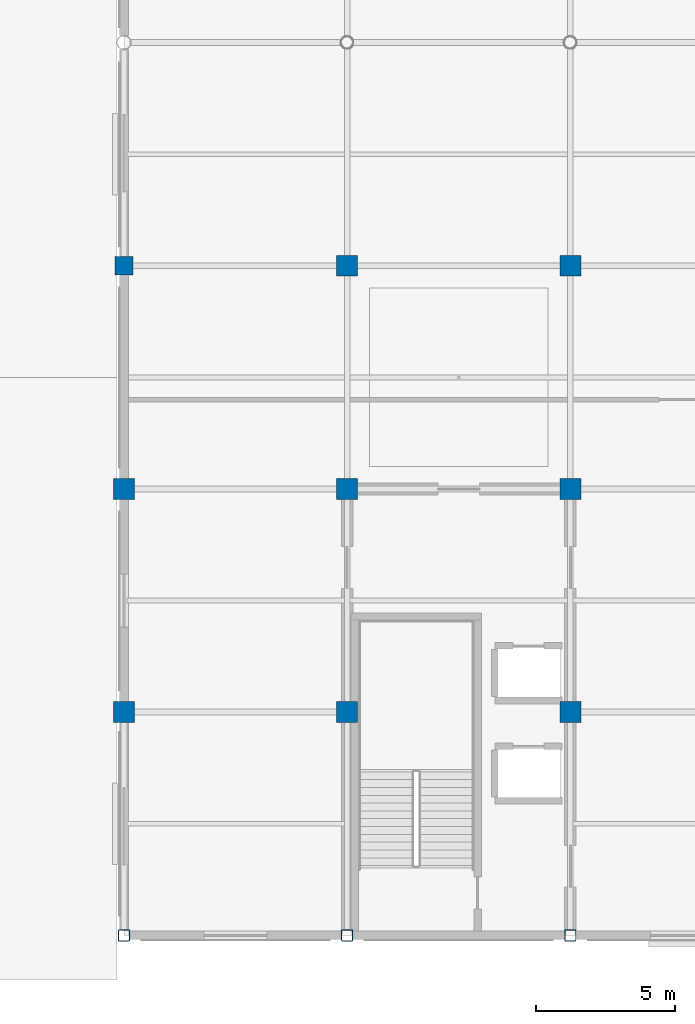
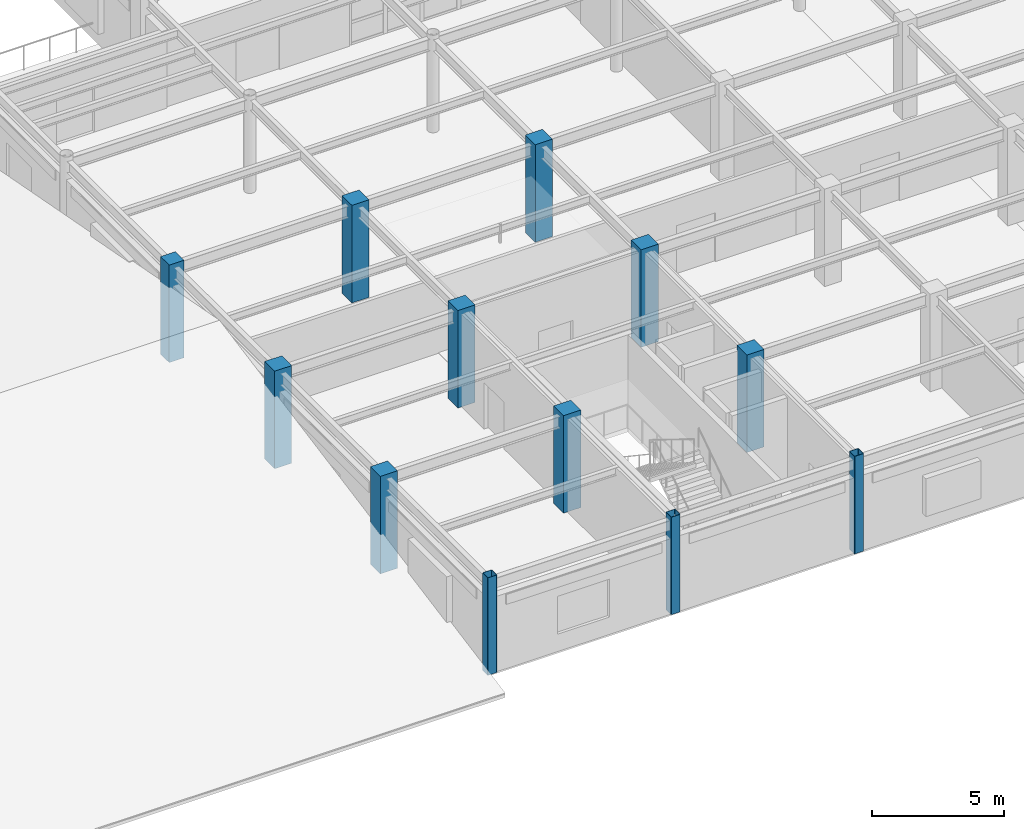
# One storey, part 1 of 111: 12 columns.
"""IFC4 building model written with IfcOpenShell, lengths in metres."""

from ifc_helpers import new_model, si_unit, direction, frame, origin, origin_2d, place, context, subcontext, project, spatial, rectangle, hollow_rectangle, extrude, material, material_profile, profile_set, type_object, element, save


model = new_model("IFC4")

# Units and contexts
model_context = context("Model", 3, precision=1e-05, world=origin(), true_north=direction((0.0, 1.0)))
body_context = subcontext(model_context, "Body", "Model", "MODEL_VIEW")
ifc_project = project(units=[si_unit("LENGTHUNIT", "METRE"), si_unit("AREAUNIT", "SQUARE_METRE"), si_unit("VOLUMEUNIT", "CUBIC_METRE"), si_unit("PLANEANGLEUNIT", "RADIAN"), si_unit("MASSUNIT", "GRAM", prefix="KILO")], contexts=[model_context])

# Site, building, storey
site_placement = place(None, origin())
site = spatial("IfcSite", under=ifc_project, at=site_placement, CompositionType="ELEMENT")
building_placement = place(site_placement, origin())
building = spatial("IfcBuilding", under=site, at=building_placement, Name="Solmirada Galleria", CompositionType="ELEMENT")
storey_placement = place(building_placement, frame((0.0, 0.0, 10.39990234375)))
storey = spatial("IfcBuildingStorey", under=building, at=storey_placement, Name="L02", CompositionType="ELEMENT", Elevation=10.39990234375)

# Columns
ifc_material_1 = material(Name="Steel S355 / ASTM A500 Grade C", Category="steel")
ifc_material_profile_1 = material_profile(ifc_material_1, hollow_rectangle(XDim=0.406005859375, YDim=0.406005859375, WallThickness=0.0146484375, InnerFilletRadius=0.0146484375, OuterFilletRadius=0.029296875, at=origin_2d()), Name="HSS16X16X5/8")
ifc_profile_set_1 = profile_set([ifc_material_profile_1], Name="Steel S355 / ASTM A500 Grade C")
column_type_1 = type_object("IfcColumnType", Name="COL-HSS16", PredefinedType="COLUMN", material=ifc_profile_set_1)
for number, where, z_axis, x_axis, name in (
    (1, (80.0, 0.0, 0.0), (0.0, 0.0, 1.0), (1.0, 0.0, 0.0), "Structural column L02-0348"),
    (2, (88.0, 0.0, 0.0), (0.0, 0.0, 1.0), (1.0, 0.0, 0.0), "Structural column L02-0465"),
    (3, (96.0, 0.0, 0.0), (0.0, 0.0, 1.0), (1.0, 0.0, 0.0), "Structural column L02-0587"),
):
    element("IfcColumn", number, at=place(storey_placement, frame(where, z_axis=z_axis, x_axis=x_axis)), inside=storey, type_object=column_type_1, Name=name, PredefinedType="COLUMN", context=body_context, shape_type="SweptSolid", body=[
        extrude(hollow_rectangle(XDim=0.406005859375, YDim=0.406005859375, WallThickness=0.0146484375, InnerFilletRadius=0.0146484375, OuterFilletRadius=0.029296875, at=origin_2d()), origin(), (0.0, 0.0, 1.0), 4.5),
    ])
ifc_material_2 = material(Name="Concrete C40/50", Category="concrete")
ifc_material_profile_2 = material_profile(ifc_material_2, rectangle(XDim=0.64990234375, YDim=0.64990234375, at=origin_2d()), Name="RC650X650")
ifc_profile_set_2 = profile_set([ifc_material_profile_2], Name="Concrete C40/50")
column_type_2 = type_object("IfcColumnType", Name="COL-RC650", PredefinedType="COLUMN", material=ifc_profile_set_2)
column_placement = place(storey_placement, frame((80.0, 24.0, 0.0), z_axis=(0.0, 0.0, 1.0), x_axis=(1.0, 0.0, 0.0)))
element("IfcColumn", 4, at=column_placement, inside=storey, type_object=column_type_2, Name="Structural column L02-0372", PredefinedType="COLUMN", context=body_context, shape_type="SweptSolid", body=[
    extrude(rectangle(XDim=0.64990234375, YDim=0.64990234375, at=origin_2d()), origin(), (0.0, 0.0, 1.0), 4.5),
])
ifc_material_profile_3 = material_profile(ifc_material_2, rectangle(XDim=0.75, YDim=0.75, at=origin_2d()), Name="RC750X750")
ifc_profile_set_3 = profile_set([ifc_material_profile_3], Name="Concrete C40/50")
column_type_3 = type_object("IfcColumnType", Name="COL-RC750", PredefinedType="COLUMN", material=ifc_profile_set_3)
for number, where, z_axis, x_axis, name in (
    (5, (80.0, 8.0, 0.0), (0.0, 0.0, 1.0), (1.0, 0.0, 0.0), "Structural column L02-0356"),
    (6, (80.0, 16.0, 0.0), (0.0, 0.0, 1.0), (1.0, 0.0, 0.0), "Structural column L02-0364"),
    (7, (88.0, 8.0, 0.0), (0.0, 0.0, 1.0), (1.0, 0.0, 0.0), "Structural column L02-0473"),
    (8, (88.0, 16.0, 0.0), (0.0, 0.0, 1.0), (1.0, 0.0, 0.0), "Structural column L02-0481"),
    (9, (88.0, 24.0, 0.0), (0.0, 0.0, 1.0), (1.0, 0.0, 0.0), "Structural column L02-0489"),
    (10, (96.0, 8.0, 0.0), (0.0, 0.0, 1.0), (1.0, 0.0, 0.0), "Structural column L02-0595"),
    (11, (96.0, 16.0, 0.0), (0.0, 0.0, 1.0), (1.0, 0.0, 0.0), "Structural column L02-0603"),
    (12, (96.0, 24.0, 0.0), (0.0, 0.0, 1.0), (1.0, 0.0, 0.0), "Structural column L02-0611"),
):
    element("IfcColumn", number, at=place(storey_placement, frame(where, z_axis=z_axis, x_axis=x_axis)), inside=storey, type_object=column_type_3, Name=name, PredefinedType="COLUMN", context=body_context, shape_type="SweptSolid", body=[
        extrude(rectangle(XDim=0.75, YDim=0.75, at=origin_2d()), origin(), (0.0, 0.0, 1.0), 4.5),
    ])

save(model, "model.ifc")
